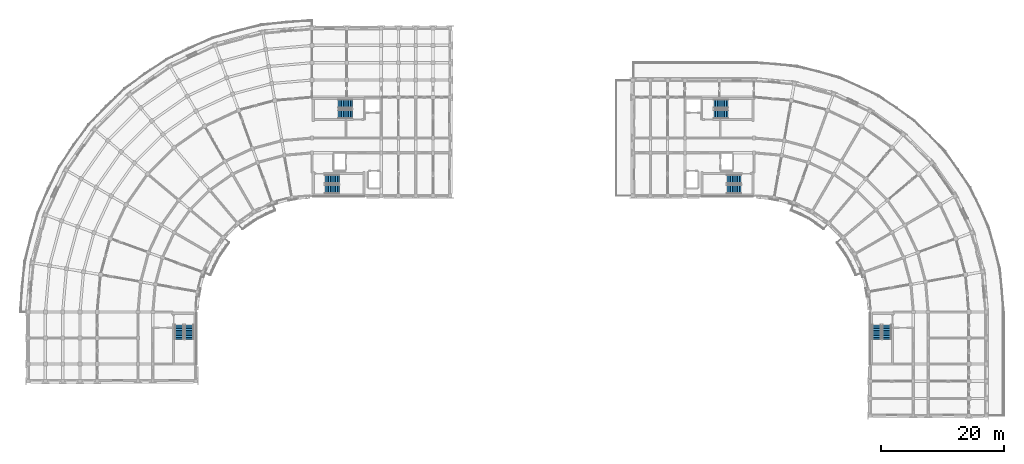
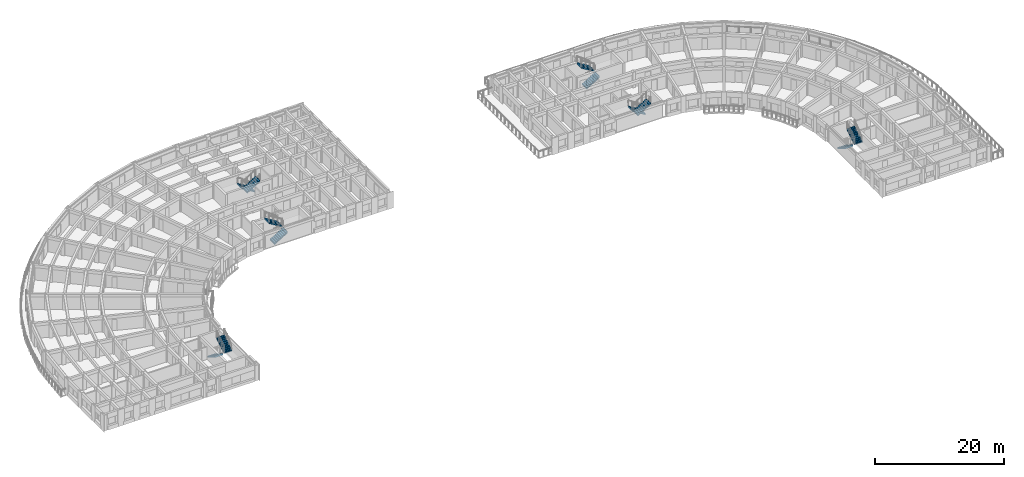
# One storey, part 25 of 36: 12 stair flights, 6 elements without a shape of their own.
"""IFC4 building model written with IfcOpenShell, lengths in metres."""

from ifc_helpers import new_model, si_unit, direction, frame, origin, place, context, subcontext, project, spatial, polyline, outline, extrude, material, type_object, element, aggregate, save


model = new_model("IFC4")

# Units and contexts
model_context = context("Model", 3, precision=1e-05, world=origin(), true_north=direction((0.0, 1.0)))
body_context = subcontext(model_context, "Body", "Model", "MODEL_VIEW")
ifc_project = project(units=[si_unit("LENGTHUNIT", "METRE"), si_unit("AREAUNIT", "SQUARE_METRE"), si_unit("VOLUMEUNIT", "CUBIC_METRE"), si_unit("PLANEANGLEUNIT", "RADIAN"), si_unit("MASSUNIT", "GRAM", prefix="KILO")], contexts=[model_context])

# Site, building, storey
site_placement = place(None, origin())
site = spatial("IfcSite", under=ifc_project, at=site_placement, CompositionType="ELEMENT")
building_placement = place(site_placement, origin())
building = spatial("IfcBuilding", under=site, at=building_placement, Name="Kiranvali Square Residences", CompositionType="ELEMENT")
storey_placement = place(building_placement, frame((0.0, 0.0, 37.050048828125)))
storey = spatial("IfcBuildingStorey", under=building, at=storey_placement, Name="L11", CompositionType="ELEMENT", Elevation=37.050048828125)

# Stair, stair flights
ifc_material = material(Name="Concrete M35 (35 MPa)", Category="concrete")
stair_type = type_object("IfcStairType", Name="ST-CORE-1700", PredefinedType="HALF_TURN_STAIR", material=ifc_material)
stair_1_placement = place(storey_placement, origin())
stair_1 = element("IfcStair", 1, at=stair_1_placement, inside=storey, type_object=stair_type, Name="L11 Block A Firefighting Exit Stair 1", PredefinedType="HALF_TURN_STAIR")
stair_flight_type = type_object("IfcStairFlightType", Name="STF-1700", PredefinedType="STRAIGHT", material=ifc_material)
stair_flight_1_placement = place(storey_placement, frame((54.699951171875, 121.52490234375, 0.0), z_axis=(0.0, 0.0, 1.0), x_axis=(-1.0, 0.0, 0.0)))
stair_flight_1 = element("IfcStairFlight", 2, at=stair_flight_1_placement, type_object=stair_flight_type, Name="ST-A1 flight 1", NumberOfRisers=9, NumberOfTreads=8, PredefinedType="STRAIGHT", RiserHeight=0.175, TreadLength=0.285, context=body_context, shape_type="SweptSolid", body=[
    extrude(outline(polyline([(-0.02001953125, -0.14990234375), (-0.02001953125, 0.0), (0.0, 0.0), (0.0, 0.175048828125), (0.284912109375, 0.175048828125), (0.284912109375, 0.35009765625), (0.570068359375, 0.35009765625), (0.570068359375, 0.52490234375), (0.85498046875, 0.52490234375), (0.85498046875, 0.699951171875), (1.139892578125, 0.699951171875), (1.139892578125, 0.875), (1.425048828125, 0.875), (1.425048828125, 1.050048828125), (1.7099609375, 1.050048828125), (1.7099609375, 1.22509765625), (1.9951171875, 1.22509765625), (1.9951171875, 1.39990234375), (2.280029296875, 1.39990234375), (2.280029296875, 1.574951171875), (2.300048828125, 1.574951171875), (2.300048828125, 1.22412109375), (2.280029296875, 1.22412109375), (0.0, -0.14990234375), (-0.02001953125, -0.14990234375)])), frame((0.0, 0.72509765625, 0.0), z_axis=(0.0, -1.0, 0.0), x_axis=(1.0, 0.0, 0.0)), (0.0, 0.0, 1.0), 1.449951171875),
])
stair_flight_2_placement = place(storey_placement, frame((52.419921875, 119.875, 1.574951171875), z_axis=(0.0, 0.0, 1.0), x_axis=(1.0, 0.0, 0.0)))
stair_flight_2 = element("IfcStairFlight", 3, at=stair_flight_2_placement, type_object=stair_flight_type, Name="ST-A1 flight 2", NumberOfRisers=9, NumberOfTreads=8, PredefinedType="STRAIGHT", RiserHeight=0.175, TreadLength=0.285, context=body_context, shape_type="SweptSolid", body=[
    extrude(outline(polyline([(-0.02001953125, -0.14990234375), (-0.02001953125, 0.0), (0.0, 0.0), (0.0, 0.175048828125), (0.284912109375, 0.175048828125), (0.284912109375, 0.35009765625), (0.570068359375, 0.35009765625), (0.570068359375, 0.52490234375), (0.85498046875, 0.52490234375), (0.85498046875, 0.699951171875), (1.139892578125, 0.699951171875), (1.139892578125, 0.875), (1.425048828125, 0.875), (1.425048828125, 1.050048828125), (1.7099609375, 1.050048828125), (1.7099609375, 1.22509765625), (1.9951171875, 1.22509765625), (1.9951171875, 1.39990234375), (2.280029296875, 1.39990234375), (2.280029296875, 1.574951171875), (2.300048828125, 1.574951171875), (2.300048828125, 1.22412109375), (2.280029296875, 1.22412109375), (0.0, -0.14990234375), (-0.02001953125, -0.14990234375)])), frame((0.0, 0.72509765625, 0.0), z_axis=(0.0, -1.0, 0.0), x_axis=(1.0, 0.0, 0.0)), (0.0, 0.0, 1.0), 1.449951171875),
])
aggregate(stair_1, [stair_flight_1, stair_flight_2])

stair_2_placement = place(storey_placement, origin())
stair_2 = element("IfcStair", 4, at=stair_2_placement, inside=storey, type_object=stair_type, Name="L11 Block A Protected Exit Stair 2", PredefinedType="HALF_TURN_STAIR")
stair_flight_3_placement = place(storey_placement, frame((50.300048828125, 107.675048828125, 0.0), z_axis=(0.0, 0.0, 1.0), x_axis=(1.0, 0.0, 0.0)))
stair_flight_3 = element("IfcStairFlight", 5, at=stair_flight_3_placement, type_object=stair_flight_type, Name="ST-A2 flight 1", NumberOfRisers=9, NumberOfTreads=8, PredefinedType="STRAIGHT", RiserHeight=0.175, TreadLength=0.285, context=body_context, shape_type="SweptSolid", body=[
    extrude(outline(polyline([(-0.02001953125, -0.14990234375), (-0.02001953125, 0.0), (0.0, 0.0), (0.0, 0.175048828125), (0.284912109375, 0.175048828125), (0.284912109375, 0.35009765625), (0.570068359375, 0.35009765625), (0.570068359375, 0.52490234375), (0.85498046875, 0.52490234375), (0.85498046875, 0.699951171875), (1.139892578125, 0.699951171875), (1.139892578125, 0.875), (1.425048828125, 0.875), (1.425048828125, 1.050048828125), (1.7099609375, 1.050048828125), (1.7099609375, 1.22509765625), (1.9951171875, 1.22509765625), (1.9951171875, 1.39990234375), (2.280029296875, 1.39990234375), (2.280029296875, 1.574951171875), (2.300048828125, 1.574951171875), (2.300048828125, 1.22412109375), (2.280029296875, 1.22412109375), (0.0, -0.14990234375), (-0.02001953125, -0.14990234375)])), frame((0.0, 0.72509765625, 0.0), z_axis=(0.0, -1.0, 0.0), x_axis=(1.0, 0.0, 0.0)), (0.0, 0.0, 1.0), 1.449951171875),
])
stair_flight_4_placement = place(storey_placement, frame((52.580078125, 109.324951171875, 1.574951171875), z_axis=(0.0, 0.0, 1.0), x_axis=(-1.0, 0.0, 0.0)))
stair_flight_4 = element("IfcStairFlight", 6, at=stair_flight_4_placement, type_object=stair_flight_type, Name="ST-A2 flight 2", NumberOfRisers=9, NumberOfTreads=8, PredefinedType="STRAIGHT", RiserHeight=0.175, TreadLength=0.285, context=body_context, shape_type="SweptSolid", body=[
    extrude(outline(polyline([(-0.02001953125, -0.14990234375), (-0.02001953125, 0.0), (0.0, 0.0), (0.0, 0.175048828125), (0.284912109375, 0.175048828125), (0.284912109375, 0.35009765625), (0.570068359375, 0.35009765625), (0.570068359375, 0.52490234375), (0.85498046875, 0.52490234375), (0.85498046875, 0.699951171875), (1.139892578125, 0.699951171875), (1.139892578125, 0.875), (1.425048828125, 0.875), (1.425048828125, 1.050048828125), (1.7099609375, 1.050048828125), (1.7099609375, 1.22509765625), (1.9951171875, 1.22509765625), (1.9951171875, 1.39990234375), (2.280029296875, 1.39990234375), (2.280029296875, 1.574951171875), (2.300048828125, 1.574951171875), (2.300048828125, 1.22412109375), (2.280029296875, 1.22412109375), (0.0, -0.14990234375), (-0.02001953125, -0.14990234375)])), frame((0.0, 0.72509765625, 0.0), z_axis=(0.0, -1.0, 0.0), x_axis=(1.0, 0.0, 0.0)), (0.0, 0.0, 1.0), 1.449951171875),
])
aggregate(stair_2, [stair_flight_3, stair_flight_4])

stair_3_placement = place(storey_placement, origin())
stair_3 = element("IfcStair", 7, at=stair_3_placement, inside=storey, type_object=stair_type, Name="L11 Block A Wing Protected Exit Stair 3", PredefinedType="HALF_TURN_STAIR")
stair_flight_5_placement = place(storey_placement, frame((26.675048828125, 85.699951171875, 0.0), z_axis=(0.0, 0.0, 1.0), x_axis=(0.0, -1.0, 0.0)))
stair_flight_5 = element("IfcStairFlight", 8, at=stair_flight_5_placement, type_object=stair_flight_type, Name="ST-A3 flight 1", NumberOfRisers=9, NumberOfTreads=8, PredefinedType="STRAIGHT", RiserHeight=0.175, TreadLength=0.285, context=body_context, shape_type="SweptSolid", body=[
    extrude(outline(polyline([(-0.02001953125, -0.14990234375), (-0.02001953125, 0.0), (0.0, 0.0), (0.0, 0.175048828125), (0.284912109375, 0.175048828125), (0.284912109375, 0.35009765625), (0.570068359375, 0.35009765625), (0.570068359375, 0.52490234375), (0.85498046875, 0.52490234375), (0.85498046875, 0.699951171875), (1.139892578125, 0.699951171875), (1.139892578125, 0.875), (1.425048828125, 0.875), (1.425048828125, 1.050048828125), (1.7099609375, 1.050048828125), (1.7099609375, 1.22509765625), (1.9951171875, 1.22509765625), (1.9951171875, 1.39990234375), (2.280029296875, 1.39990234375), (2.280029296875, 1.574951171875), (2.300048828125, 1.574951171875), (2.300048828125, 1.22412109375), (2.280029296875, 1.22412109375), (0.0, -0.14990234375), (-0.02001953125, -0.14990234375)])), frame((0.0, 0.72509765625, 0.0), z_axis=(0.0, -1.0, 0.0), x_axis=(1.0, 0.0, 0.0)), (0.0, 0.0, 1.0), 1.449951171875),
])
stair_flight_6_placement = place(storey_placement, frame((28.324951171875, 83.419921875, 1.574951171875), z_axis=(0.0, 0.0, 1.0), x_axis=(0.0, 1.0, 0.0)))
stair_flight_6 = element("IfcStairFlight", 9, at=stair_flight_6_placement, type_object=stair_flight_type, Name="ST-A3 flight 2", NumberOfRisers=9, NumberOfTreads=8, PredefinedType="STRAIGHT", RiserHeight=0.175, TreadLength=0.285, context=body_context, shape_type="SweptSolid", body=[
    extrude(outline(polyline([(-0.02001953125, -0.14990234375), (-0.02001953125, 0.0), (0.0, 0.0), (0.0, 0.175048828125), (0.284912109375, 0.175048828125), (0.284912109375, 0.35009765625), (0.570068359375, 0.35009765625), (0.570068359375, 0.52490234375), (0.85498046875, 0.52490234375), (0.85498046875, 0.699951171875), (1.139892578125, 0.699951171875), (1.139892578125, 0.875), (1.425048828125, 0.875), (1.425048828125, 1.050048828125), (1.7099609375, 1.050048828125), (1.7099609375, 1.22509765625), (1.9951171875, 1.22509765625), (1.9951171875, 1.39990234375), (2.280029296875, 1.39990234375), (2.280029296875, 1.574951171875), (2.300048828125, 1.574951171875), (2.300048828125, 1.22412109375), (2.280029296875, 1.22412109375), (0.0, -0.14990234375), (-0.02001953125, -0.14990234375)])), frame((0.0, 0.72509765625, 0.0), z_axis=(0.0, -1.0, 0.0), x_axis=(1.0, 0.0, 0.0)), (0.0, 0.0, 1.0), 1.449951171875),
])
aggregate(stair_3, [stair_flight_5, stair_flight_6])

stair_4_placement = place(storey_placement, origin())
stair_4 = element("IfcStair", 10, at=stair_4_placement, inside=storey, type_object=stair_type, Name="L11 Block B Firefighting Exit Stair 1", PredefinedType="HALF_TURN_STAIR")
stair_flight_7_placement = place(storey_placement, frame((113.300048828125, 119.875, 0.0), z_axis=(0.0, 0.0, 1.0), x_axis=(1.0, 0.0, 0.0)))
stair_flight_7 = element("IfcStairFlight", 11, at=stair_flight_7_placement, type_object=stair_flight_type, Name="ST-B1 flight 1", NumberOfRisers=9, NumberOfTreads=8, PredefinedType="STRAIGHT", RiserHeight=0.175, TreadLength=0.285, context=body_context, shape_type="SweptSolid", body=[
    extrude(outline(polyline([(-0.02001953125, -0.14990234375), (-0.02001953125, 0.0), (0.0, 0.0), (0.0, 0.175048828125), (0.284912109375, 0.175048828125), (0.284912109375, 0.35009765625), (0.570068359375, 0.35009765625), (0.570068359375, 0.52490234375), (0.85498046875, 0.52490234375), (0.85498046875, 0.699951171875), (1.139892578125, 0.699951171875), (1.139892578125, 0.875), (1.425048828125, 0.875), (1.425048828125, 1.050048828125), (1.7099609375, 1.050048828125), (1.7099609375, 1.22509765625), (1.9951171875, 1.22509765625), (1.9951171875, 1.39990234375), (2.280029296875, 1.39990234375), (2.280029296875, 1.574951171875), (2.300048828125, 1.574951171875), (2.300048828125, 1.22412109375), (2.280029296875, 1.22412109375), (0.0, -0.14990234375), (-0.02001953125, -0.14990234375)])), frame((0.0, 0.72509765625, 0.0), z_axis=(0.0, -1.0, 0.0), x_axis=(1.0, 0.0, 0.0)), (0.0, 0.0, 1.0), 1.449951171875),
])
stair_flight_8_placement = place(storey_placement, frame((115.580078125, 121.52490234375, 1.574951171875), z_axis=(0.0, 0.0, 1.0), x_axis=(-1.0, 0.0, 0.0)))
stair_flight_8 = element("IfcStairFlight", 12, at=stair_flight_8_placement, type_object=stair_flight_type, Name="ST-B1 flight 2", NumberOfRisers=9, NumberOfTreads=8, PredefinedType="STRAIGHT", RiserHeight=0.175, TreadLength=0.285, context=body_context, shape_type="SweptSolid", body=[
    extrude(outline(polyline([(-0.02001953125, -0.14990234375), (-0.02001953125, 0.0), (0.0, 0.0), (0.0, 0.175048828125), (0.284912109375, 0.175048828125), (0.284912109375, 0.35009765625), (0.570068359375, 0.35009765625), (0.570068359375, 0.52490234375), (0.85498046875, 0.52490234375), (0.85498046875, 0.699951171875), (1.139892578125, 0.699951171875), (1.139892578125, 0.875), (1.425048828125, 0.875), (1.425048828125, 1.050048828125), (1.7099609375, 1.050048828125), (1.7099609375, 1.22509765625), (1.9951171875, 1.22509765625), (1.9951171875, 1.39990234375), (2.280029296875, 1.39990234375), (2.280029296875, 1.574951171875), (2.300048828125, 1.574951171875), (2.300048828125, 1.22412109375), (2.280029296875, 1.22412109375), (0.0, -0.14990234375), (-0.02001953125, -0.14990234375)])), frame((0.0, 0.72509765625, 0.0), z_axis=(0.0, -1.0, 0.0), x_axis=(1.0, 0.0, 0.0)), (0.0, 0.0, 1.0), 1.449951171875),
])
aggregate(stair_4, [stair_flight_7, stair_flight_8])

stair_5_placement = place(storey_placement, origin())
stair_5 = element("IfcStair", 13, at=stair_5_placement, inside=storey, type_object=stair_type, Name="L11 Block B Protected Exit Stair 2", PredefinedType="HALF_TURN_STAIR")
stair_flight_9_placement = place(storey_placement, frame((117.699951171875, 109.324951171875, 0.0), z_axis=(0.0, 0.0, 1.0), x_axis=(-1.0, 0.0, 0.0)))
stair_flight_9 = element("IfcStairFlight", 14, at=stair_flight_9_placement, type_object=stair_flight_type, Name="ST-B2 flight 1", NumberOfRisers=9, NumberOfTreads=8, PredefinedType="STRAIGHT", RiserHeight=0.175, TreadLength=0.285, context=body_context, shape_type="SweptSolid", body=[
    extrude(outline(polyline([(-0.02001953125, -0.14990234375), (-0.02001953125, 0.0), (0.0, 0.0), (0.0, 0.175048828125), (0.284912109375, 0.175048828125), (0.284912109375, 0.35009765625), (0.570068359375, 0.35009765625), (0.570068359375, 0.52490234375), (0.85498046875, 0.52490234375), (0.85498046875, 0.699951171875), (1.139892578125, 0.699951171875), (1.139892578125, 0.875), (1.425048828125, 0.875), (1.425048828125, 1.050048828125), (1.7099609375, 1.050048828125), (1.7099609375, 1.22509765625), (1.9951171875, 1.22509765625), (1.9951171875, 1.39990234375), (2.280029296875, 1.39990234375), (2.280029296875, 1.574951171875), (2.300048828125, 1.574951171875), (2.300048828125, 1.22412109375), (2.280029296875, 1.22412109375), (0.0, -0.14990234375), (-0.02001953125, -0.14990234375)])), frame((0.0, 0.72509765625, 0.0), z_axis=(0.0, -1.0, 0.0), x_axis=(1.0, 0.0, 0.0)), (0.0, 0.0, 1.0), 1.449951171875),
])
stair_flight_10_placement = place(storey_placement, frame((115.419921875, 107.675048828125, 1.574951171875), z_axis=(0.0, 0.0, 1.0), x_axis=(1.0, 0.0, 0.0)))
stair_flight_10 = element("IfcStairFlight", 15, at=stair_flight_10_placement, type_object=stair_flight_type, Name="ST-B2 flight 2", NumberOfRisers=9, NumberOfTreads=8, PredefinedType="STRAIGHT", RiserHeight=0.175, TreadLength=0.285, context=body_context, shape_type="SweptSolid", body=[
    extrude(outline(polyline([(-0.02001953125, -0.14990234375), (-0.02001953125, 0.0), (0.0, 0.0), (0.0, 0.175048828125), (0.284912109375, 0.175048828125), (0.284912109375, 0.35009765625), (0.570068359375, 0.35009765625), (0.570068359375, 0.52490234375), (0.85498046875, 0.52490234375), (0.85498046875, 0.699951171875), (1.139892578125, 0.699951171875), (1.139892578125, 0.875), (1.425048828125, 0.875), (1.425048828125, 1.050048828125), (1.7099609375, 1.050048828125), (1.7099609375, 1.22509765625), (1.9951171875, 1.22509765625), (1.9951171875, 1.39990234375), (2.280029296875, 1.39990234375), (2.280029296875, 1.574951171875), (2.300048828125, 1.574951171875), (2.300048828125, 1.22412109375), (2.280029296875, 1.22412109375), (0.0, -0.14990234375), (-0.02001953125, -0.14990234375)])), frame((0.0, 0.72509765625, 0.0), z_axis=(0.0, -1.0, 0.0), x_axis=(1.0, 0.0, 0.0)), (0.0, 0.0, 1.0), 1.449951171875),
])
aggregate(stair_5, [stair_flight_9, stair_flight_10])

stair_6_placement = place(storey_placement, origin())
stair_6 = element("IfcStair", 16, at=stair_6_placement, inside=storey, type_object=stair_type, Name="L11 Block B Wing Protected Exit Stair 3", PredefinedType="HALF_TURN_STAIR")
stair_flight_11_placement = place(storey_placement, frame((139.675048828125, 85.699951171875, 0.0), z_axis=(0.0, 0.0, 1.0), x_axis=(0.0, -1.0, 0.0)))
stair_flight_11 = element("IfcStairFlight", 17, at=stair_flight_11_placement, type_object=stair_flight_type, Name="ST-B3 flight 1", NumberOfRisers=9, NumberOfTreads=8, PredefinedType="STRAIGHT", RiserHeight=0.175, TreadLength=0.285, context=body_context, shape_type="SweptSolid", body=[
    extrude(outline(polyline([(-0.02001953125, -0.14990234375), (-0.02001953125, 0.0), (0.0, 0.0), (0.0, 0.175048828125), (0.284912109375, 0.175048828125), (0.284912109375, 0.35009765625), (0.570068359375, 0.35009765625), (0.570068359375, 0.52490234375), (0.85498046875, 0.52490234375), (0.85498046875, 0.699951171875), (1.139892578125, 0.699951171875), (1.139892578125, 0.875), (1.425048828125, 0.875), (1.425048828125, 1.050048828125), (1.7099609375, 1.050048828125), (1.7099609375, 1.22509765625), (1.9951171875, 1.22509765625), (1.9951171875, 1.39990234375), (2.280029296875, 1.39990234375), (2.280029296875, 1.574951171875), (2.300048828125, 1.574951171875), (2.300048828125, 1.22412109375), (2.280029296875, 1.22412109375), (0.0, -0.14990234375), (-0.02001953125, -0.14990234375)])), frame((0.0, 0.72509765625, 0.0), z_axis=(0.0, -1.0, 0.0), x_axis=(1.0, 0.0, 0.0)), (0.0, 0.0, 1.0), 1.449951171875),
])
stair_flight_12_placement = place(storey_placement, frame((141.324951171875, 83.419921875, 1.574951171875), z_axis=(0.0, 0.0, 1.0), x_axis=(0.0, 1.0, 0.0)))
stair_flight_12 = element("IfcStairFlight", 18, at=stair_flight_12_placement, type_object=stair_flight_type, Name="ST-B3 flight 2", NumberOfRisers=9, NumberOfTreads=8, PredefinedType="STRAIGHT", RiserHeight=0.175, TreadLength=0.285, context=body_context, shape_type="SweptSolid", body=[
    extrude(outline(polyline([(-0.02001953125, -0.14990234375), (-0.02001953125, 0.0), (0.0, 0.0), (0.0, 0.175048828125), (0.284912109375, 0.175048828125), (0.284912109375, 0.35009765625), (0.570068359375, 0.35009765625), (0.570068359375, 0.52490234375), (0.85498046875, 0.52490234375), (0.85498046875, 0.699951171875), (1.139892578125, 0.699951171875), (1.139892578125, 0.875), (1.425048828125, 0.875), (1.425048828125, 1.050048828125), (1.7099609375, 1.050048828125), (1.7099609375, 1.22509765625), (1.9951171875, 1.22509765625), (1.9951171875, 1.39990234375), (2.280029296875, 1.39990234375), (2.280029296875, 1.574951171875), (2.300048828125, 1.574951171875), (2.300048828125, 1.22412109375), (2.280029296875, 1.22412109375), (0.0, -0.14990234375), (-0.02001953125, -0.14990234375)])), frame((0.0, 0.72509765625, 0.0), z_axis=(0.0, -1.0, 0.0), x_axis=(1.0, 0.0, 0.0)), (0.0, 0.0, 1.0), 1.449951171875),
])
aggregate(stair_6, [stair_flight_11, stair_flight_12])

save(model, "model.ifc")
